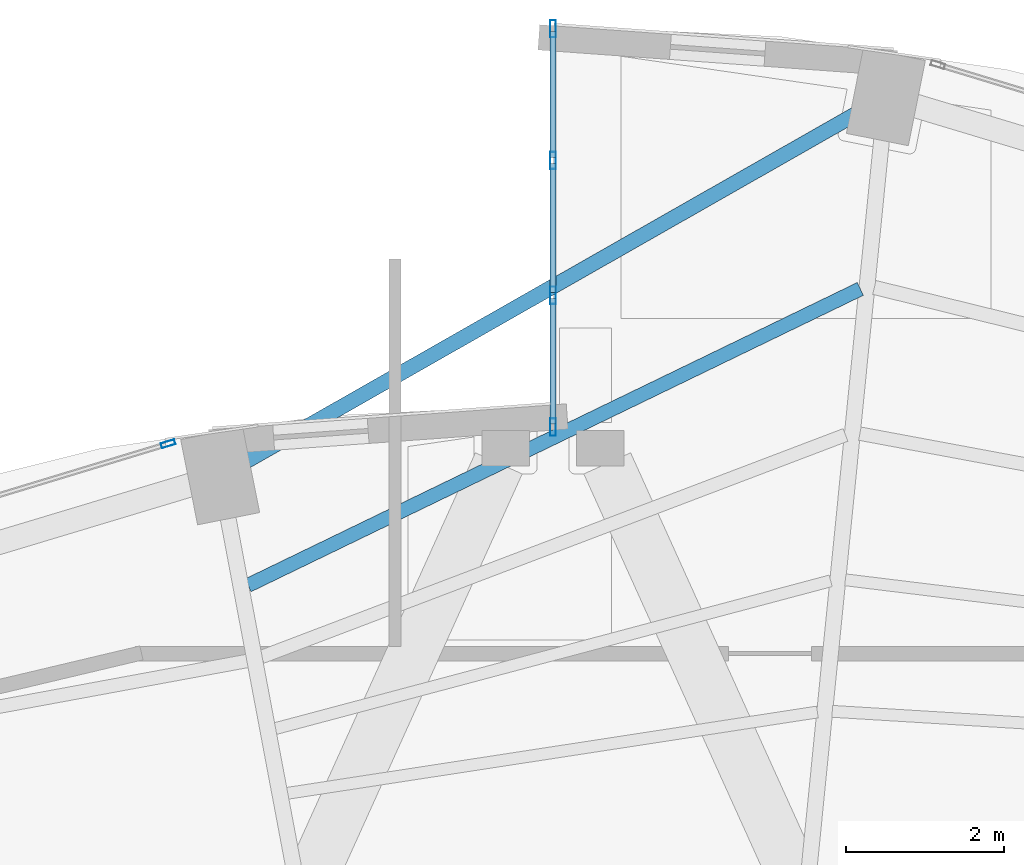
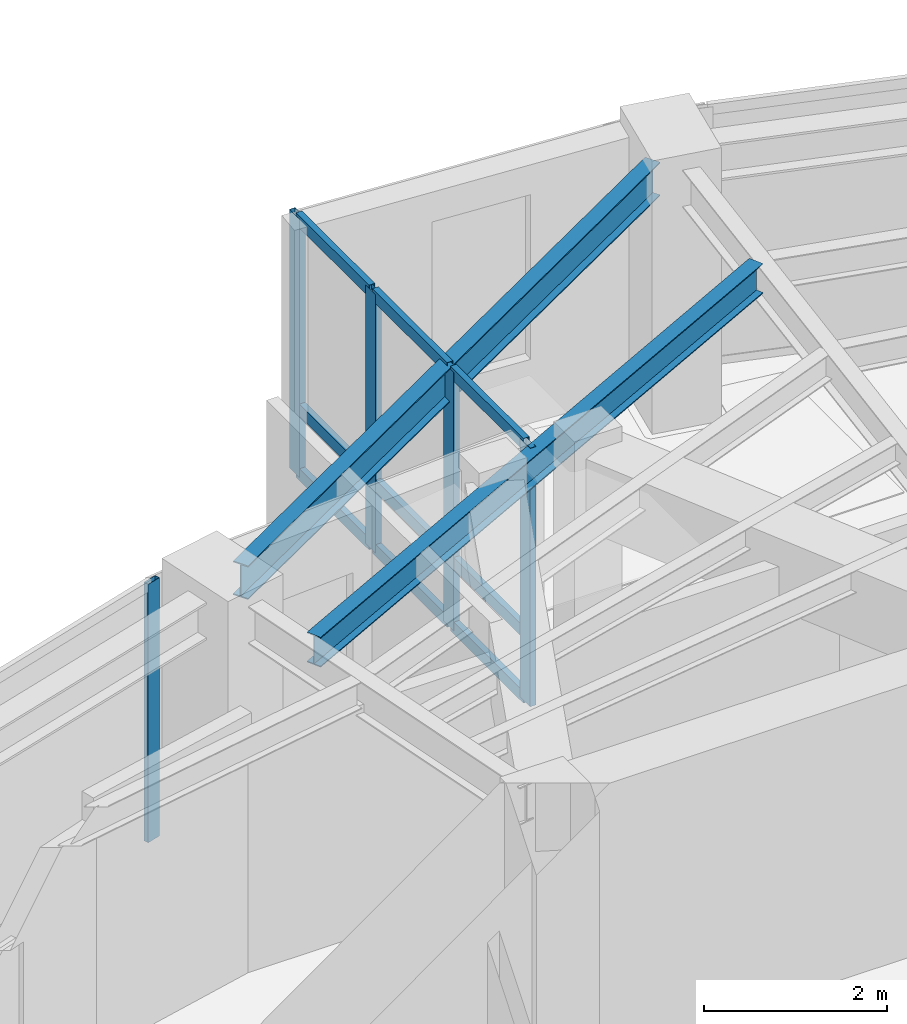
# One storey, part 16 of 23: 14 members, 2 beams, 2 elements without a shape of their own.
"""IFC4 building model written with IfcOpenShell, lengths in metres."""

from ifc_helpers import new_model, si_unit, direction, frame, origin, origin_2d, place, context, subcontext, project, spatial, hollow_rectangle, i_section, extrude, material, layer, layer_set, material_profile, profile_set, type_object, element, aggregate, save


model = new_model("IFC4")

# Units and contexts
model_context = context("Model", 3, precision=1e-05, world=origin(), true_north=direction((0.0, 1.0)))
body_context = subcontext(model_context, "Body", "Model", "MODEL_VIEW")
ifc_project = project(units=[si_unit("LENGTHUNIT", "METRE"), si_unit("AREAUNIT", "SQUARE_METRE"), si_unit("VOLUMEUNIT", "CUBIC_METRE"), si_unit("PLANEANGLEUNIT", "RADIAN"), si_unit("MASSUNIT", "GRAM", prefix="KILO")], contexts=[model_context])

# Site, building, storey
site_placement = place(None, origin())
site = spatial("IfcSite", under=ifc_project, at=site_placement, CompositionType="ELEMENT")
building_placement = place(site_placement, origin())
building = spatial("IfcBuilding", under=site, at=building_placement, Name="Lazwardi Medical Tower", CompositionType="ELEMENT")
storey_placement = place(building_placement, frame((0.0, 0.0, 205.77587890625)))
storey = spatial("IfcBuildingStorey", under=building, at=storey_placement, Name="L53", CompositionType="ELEMENT", Elevation=205.77587890625)

# Beams
ifc_material_1 = material(Name="Steel S355", Category="steel")
ifc_material_profile_1 = material_profile(ifc_material_1, i_section(OverallWidth=0.179931640625, OverallDepth=0.39990234375, WebThickness=0.008544921875, FlangeThickness=0.013427734375, at=origin_2d()), Name="IPE 400")
ifc_profile_set_1 = profile_set([ifc_material_profile_1], Name="Steel S355")
beam_type_1 = type_object("IfcBeamType", Name="BM-SJ-01", PredefinedType="JOIST", material=ifc_profile_set_1)
beam_1_placement = place(storey_placement, frame((39.89111328125, 43.367919921875, 3.248046875), z_axis=(-0.900068885459, -0.435747635024, 0.0), x_axis=(0.435747635024, -0.900068885459, 0.0)))
element("IfcBeam", 1, at=beam_1_placement, inside=storey, type_object=beam_type_1, Name="Secondary joist SJ-01 R1 B08 L53", PredefinedType="JOIST", context=body_context, shape_type="SweptSolid", body=[
    extrude(i_section(OverallWidth=0.179931640625, OverallDepth=0.39990234375, WebThickness=0.008544921875, FlangeThickness=0.013427734375, at=origin_2d()), origin(), (0.0, 0.0, 1.0), 8.612548828125),
])
ifc_material_profile_2 = material_profile(ifc_material_1, i_section(OverallWidth=0.18994140625, OverallDepth=0.449951171875, WebThickness=0.009521484375, FlangeThickness=0.0146484375, at=origin_2d()), Name="IPE 450")
ifc_profile_set_2 = profile_set([ifc_material_profile_2], Name="Steel S355")
beam_type_2 = type_object("IfcBeamType", Name="BM-SP-01", PredefinedType="SPANDREL", material=ifc_profile_set_2)
beam_2_placement = place(storey_placement, frame((39.875, 45.605224609375, 3.22314453125), z_axis=(-0.868954808466, -0.494891443494, 0.0), x_axis=(0.494891443494, -0.868954808466, 0.0)))
element("IfcBeam", 2, at=beam_2_placement, inside=storey, type_object=beam_type_2, Name="Spandrel beam SP-01 B08 L53", PredefinedType="SPANDREL", context=body_context, shape_type="SweptSolid", body=[
    extrude(i_section(OverallWidth=0.18994140625, OverallDepth=0.449951171875, WebThickness=0.009521484375, FlangeThickness=0.0146484375, at=origin_2d()), origin(), (0.0, 0.0, 1.0), 8.918701171875),
])

# Curtain wall, members
ifc_material_2 = material(Name="Anodised bronze aluminium and solar control glazing", Category="aluminium")
ifc_layer_1 = layer(ifc_material_2, 0.2099609375)
ifc_layer_set_1 = layer_set([ifc_layer_1], Name="Anodised bronze aluminium and solar control glazing")
curtain_wall_type_1 = type_object("IfcCurtainWallType", Name="CW-SYS-06", PredefinedType="NOTDEFINED", material=ifc_layer_set_1)
curtain_wall_1_placement = place(storey_placement, origin())
curtain_wall_1 = element("IfcCurtainWall", 3, at=curtain_wall_1_placement, inside=storey, type_object=curtain_wall_type_1, Name="L53 Unitised bronze curtain wall CW-06", PredefinedType="NOTDEFINED")
ifc_material_3 = material(Name="Anodised bronze aluminium", Category="aluminium")
ifc_material_profile_3 = material_profile(ifc_material_3, hollow_rectangle(XDim=0.074951171875, YDim=0.219970703125, WallThickness=0.00390625, at=origin_2d()), Name="ALU-MULLION 220x75x4")
ifc_profile_set_3 = profile_set([ifc_material_profile_3], Name="Anodised bronze aluminium")
member_type_1 = type_object("IfcMemberType", Name="CW-MUL-01", PredefinedType="MULLION", material=ifc_profile_set_3)
member_1_placement = place(storey_placement, frame((36.0, 46.66259765625, 0.0), z_axis=(0.0, 0.0, 1.0), x_axis=(1.0, 0.0, 0.0)))
member_1 = element("IfcMember", 4, at=member_1_placement, type_object=member_type_1, Name="CW-06 mullion 1", PredefinedType="MULLION", context=body_context, shape_type="SweptSolid", body=[
    extrude(hollow_rectangle(XDim=0.074951171875, YDim=0.219970703125, WallThickness=0.00390625, at=origin_2d()), origin(), (0.0, 0.0, 1.0), 3.4482421875),
])
member_2_placement = place(storey_placement, frame((36.0, 44.993408203125, 0.0), z_axis=(0.0, 0.0, 1.0), x_axis=(1.0, 0.0, 0.0)))
member_2 = element("IfcMember", 5, at=member_2_placement, type_object=member_type_1, Name="CW-06 mullion 2", PredefinedType="MULLION", context=body_context, shape_type="SweptSolid", body=[
    extrude(hollow_rectangle(XDim=0.074951171875, YDim=0.219970703125, WallThickness=0.00390625, at=origin_2d()), origin(), (0.0, 0.0, 1.0), 3.4482421875),
])
member_3_placement = place(storey_placement, frame((36.0, 43.28662109375, 0.0), z_axis=(0.0, 0.0, 1.0), x_axis=(1.0, 0.0, 0.0)))
member_3 = element("IfcMember", 6, at=member_3_placement, type_object=member_type_1, Name="CW-06 mullion 3", PredefinedType="MULLION", context=body_context, shape_type="SweptSolid", body=[
    extrude(hollow_rectangle(XDim=0.074951171875, YDim=0.219970703125, WallThickness=0.00390625, at=origin_2d()), origin(), (0.0, 0.0, 1.0), 3.4482421875),
])
member_4_placement = place(storey_placement, frame((36.0, 41.617431640625, 0.0), z_axis=(0.0, 0.0, 1.0), x_axis=(1.0, 0.0, 0.0)))
member_4 = element("IfcMember", 7, at=member_4_placement, type_object=member_type_1, Name="CW-06 mullion 4", PredefinedType="MULLION", context=body_context, shape_type="SweptSolid", body=[
    extrude(hollow_rectangle(XDim=0.074951171875, YDim=0.219970703125, WallThickness=0.00390625, at=origin_2d()), origin(), (0.0, 0.0, 1.0), 3.4482421875),
])

# Curtain wall, member
ifc_layer_2 = layer(ifc_material_2, 0.18994140625)
ifc_layer_set_2 = layer_set([ifc_layer_2], Name="Anodised bronze aluminium and solar control glazing")
curtain_wall_type_2 = type_object("IfcCurtainWallType", Name="CW-SYS-04", PredefinedType="NOTDEFINED", material=ifc_layer_set_2)
curtain_wall_2_placement = place(storey_placement, origin())
curtain_wall_2 = element("IfcCurtainWall", 8, at=curtain_wall_2_placement, inside=storey, type_object=curtain_wall_type_2, Name="L53 Unitised bronze curtain wall CW-04", PredefinedType="NOTDEFINED")
ifc_material_profile_4 = material_profile(ifc_material_3, hollow_rectangle(XDim=0.06494140625, YDim=0.179931640625, WallThickness=0.00390625, at=origin_2d()), Name="ALU-MULLION 180x65x4")
ifc_profile_set_4 = profile_set([ifc_material_profile_4], Name="Anodised bronze aluminium")
member_type_2 = type_object("IfcMemberType", Name="CW-MUL-03", PredefinedType="MULLION", material=ifc_profile_set_4)
member_5_placement = place(storey_placement, frame((31.126953125, 41.406982421875, 0.0), z_axis=(0.0, 0.0, 1.0), x_axis=(0.290581889515, -0.956850126972, 0.0)))
member_5 = element("IfcMember", 9, at=member_5_placement, type_object=member_type_2, Name="CW-04 mullion 1", PredefinedType="MULLION", context=body_context, shape_type="SweptSolid", body=[
    extrude(hollow_rectangle(XDim=0.06494140625, YDim=0.179931640625, WallThickness=0.00390625, at=origin_2d()), origin(), (0.0, 0.0, 1.0), 3.4482421875),
])
aggregate(curtain_wall_2, [member_5])

# Member
ifc_material_profile_5 = material_profile(ifc_material_3, hollow_rectangle(XDim=0.074951171875, YDim=0.159912109375, WallThickness=0.00390625, at=origin_2d()), Name="ALU-TRANSOM 160x75x4")
ifc_profile_set_5 = profile_set([ifc_material_profile_5], Name="Anodised bronze aluminium")
member_type_3 = type_object("IfcMemberType", Name="CW-TRN-01", PredefinedType="USERDEFINED", material=ifc_profile_set_5)
member_6_placement = place(storey_placement, frame((36.0, 46.625, 0.03759765625), z_axis=(0.0, -1.0, 0.0), x_axis=(1.0, 0.0, 0.0)))
member_6 = element("IfcMember", 10, at=member_6_placement, type_object=member_type_3, Name="CW-06 transom 1.1", ObjectType="TRANSOM", PredefinedType="USERDEFINED", context=body_context, shape_type="SweptSolid", body=[
    extrude(hollow_rectangle(XDim=0.074951171875, YDim=0.159912109375, WallThickness=0.00390625, at=origin_2d()), origin(), (0.0, 0.0, 1.0), 1.59423828125),
])

member_7_placement = place(storey_placement, frame((36.0, 46.625, 0.900146484375), z_axis=(0.0, -1.0, 0.0), x_axis=(1.0, 0.0, 0.0)))
member_7 = element("IfcMember", 11, at=member_7_placement, type_object=member_type_3, Name="CW-06 transom 1.2", ObjectType="TRANSOM", PredefinedType="USERDEFINED", context=body_context, shape_type="SweptSolid", body=[
    extrude(hollow_rectangle(XDim=0.074951171875, YDim=0.159912109375, WallThickness=0.00390625, at=origin_2d()), origin(), (0.0, 0.0, 1.0), 1.59423828125),
])

member_8_placement = place(storey_placement, frame((36.0, 46.625, 3.41064453125), z_axis=(0.0, -1.0, 0.0), x_axis=(1.0, 0.0, 0.0)))
member_8 = element("IfcMember", 12, at=member_8_placement, type_object=member_type_3, Name="CW-06 transom 1.3", ObjectType="TRANSOM", PredefinedType="USERDEFINED", context=body_context, shape_type="SweptSolid", body=[
    extrude(hollow_rectangle(XDim=0.074951171875, YDim=0.159912109375, WallThickness=0.00390625, at=origin_2d()), origin(), (0.0, 0.0, 1.0), 1.59423828125),
])

member_9_placement = place(storey_placement, frame((36.0, 44.955810546875, 0.03759765625), z_axis=(0.0, -1.0, 0.0), x_axis=(1.0, 0.0, 0.0)))
member_9 = element("IfcMember", 13, at=member_9_placement, type_object=member_type_3, Name="CW-06 transom 2.1", ObjectType="TRANSOM", PredefinedType="USERDEFINED", context=body_context, shape_type="SweptSolid", body=[
    extrude(hollow_rectangle(XDim=0.074951171875, YDim=0.159912109375, WallThickness=0.00390625, at=origin_2d()), origin(), (0.0, 0.0, 1.0), 1.631591796875),
])

member_10_placement = place(storey_placement, frame((36.0, 44.955810546875, 0.900146484375), z_axis=(0.0, -1.0, 0.0), x_axis=(1.0, 0.0, 0.0)))
member_10 = element("IfcMember", 14, at=member_10_placement, type_object=member_type_3, Name="CW-06 transom 2.2", ObjectType="TRANSOM", PredefinedType="USERDEFINED", context=body_context, shape_type="SweptSolid", body=[
    extrude(hollow_rectangle(XDim=0.074951171875, YDim=0.159912109375, WallThickness=0.00390625, at=origin_2d()), origin(), (0.0, 0.0, 1.0), 1.631591796875),
])

member_11_placement = place(storey_placement, frame((36.0, 44.955810546875, 3.41064453125), z_axis=(0.0, -1.0, 0.0), x_axis=(1.0, 0.0, 0.0)))
member_11 = element("IfcMember", 15, at=member_11_placement, type_object=member_type_3, Name="CW-06 transom 2.3", ObjectType="TRANSOM", PredefinedType="USERDEFINED", context=body_context, shape_type="SweptSolid", body=[
    extrude(hollow_rectangle(XDim=0.074951171875, YDim=0.159912109375, WallThickness=0.00390625, at=origin_2d()), origin(), (0.0, 0.0, 1.0), 1.631591796875),
])

member_12_placement = place(storey_placement, frame((36.0, 43.249267578125, 0.03759765625), z_axis=(0.0, -1.0, 0.0), x_axis=(1.0, 0.0, 0.0)))
member_12 = element("IfcMember", 16, at=member_12_placement, type_object=member_type_3, Name="CW-06 transom 3.1", ObjectType="TRANSOM", PredefinedType="USERDEFINED", context=body_context, shape_type="SweptSolid", body=[
    extrude(hollow_rectangle(XDim=0.074951171875, YDim=0.159912109375, WallThickness=0.00390625, at=origin_2d()), origin(), (0.0, 0.0, 1.0), 1.59423828125),
])

member_13_placement = place(storey_placement, frame((36.0, 43.249267578125, 0.900146484375), z_axis=(0.0, -1.0, 0.0), x_axis=(1.0, 0.0, 0.0)))
member_13 = element("IfcMember", 17, at=member_13_placement, type_object=member_type_3, Name="CW-06 transom 3.2", ObjectType="TRANSOM", PredefinedType="USERDEFINED", context=body_context, shape_type="SweptSolid", body=[
    extrude(hollow_rectangle(XDim=0.074951171875, YDim=0.159912109375, WallThickness=0.00390625, at=origin_2d()), origin(), (0.0, 0.0, 1.0), 1.59423828125),
])

member_14_placement = place(storey_placement, frame((36.0, 43.249267578125, 3.41064453125), z_axis=(0.0, -1.0, 0.0), x_axis=(1.0, 0.0, 0.0)))
member_14 = element("IfcMember", 18, at=member_14_placement, type_object=member_type_3, Name="CW-06 transom 3.3", ObjectType="TRANSOM", PredefinedType="USERDEFINED", context=body_context, shape_type="SweptSolid", body=[
    extrude(hollow_rectangle(XDim=0.074951171875, YDim=0.159912109375, WallThickness=0.00390625, at=origin_2d()), origin(), (0.0, 0.0, 1.0), 1.59423828125),
])

aggregate(curtain_wall_1, [member_1, member_2, member_3, member_4, member_6, member_7, member_8, member_9, member_10, member_11, member_12, member_13, member_14])

save(model, "model.ifc")
